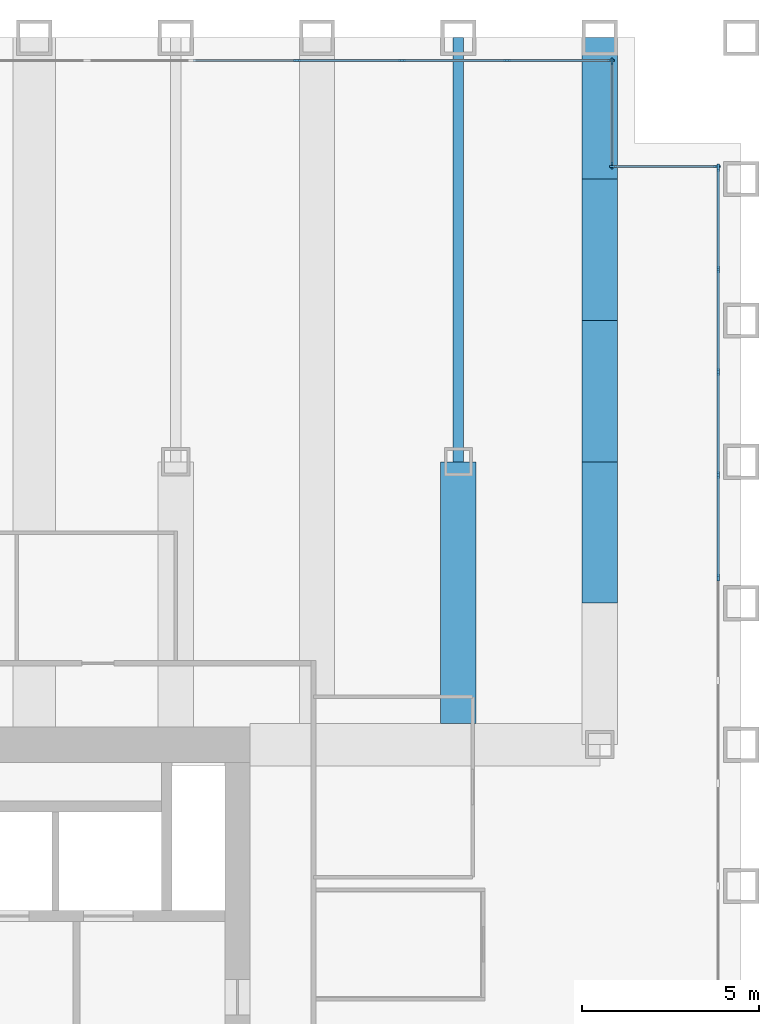
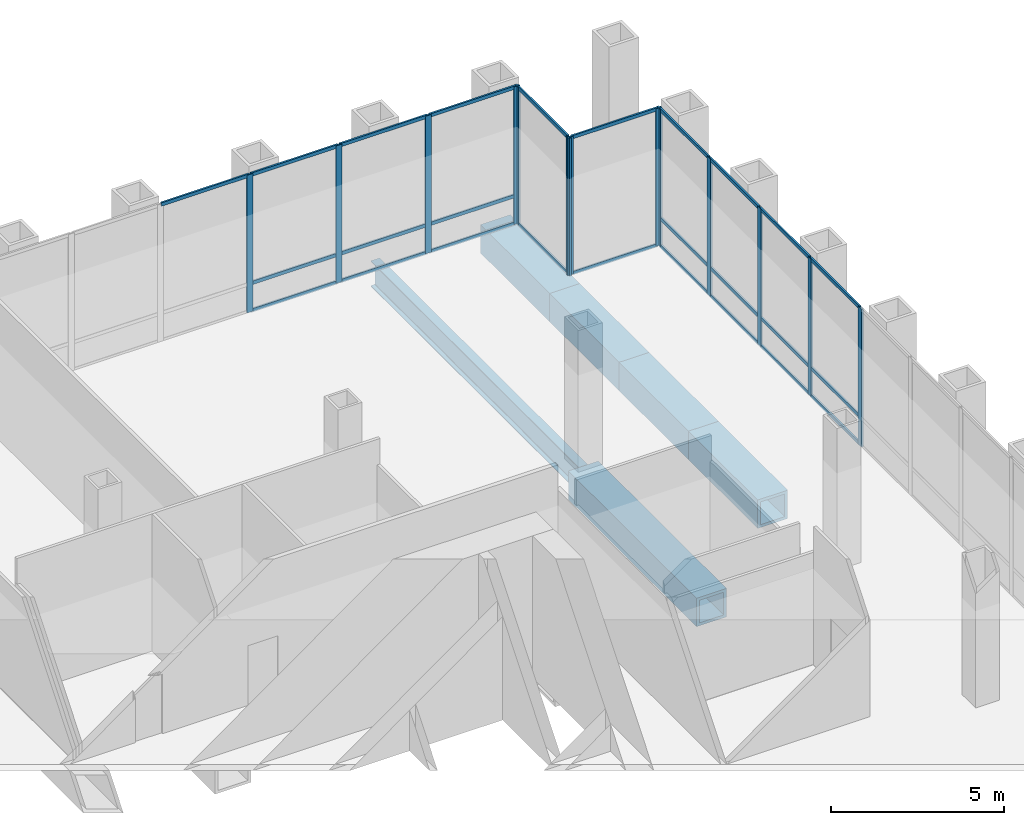
# One storey, part 7 of 13: 39 members, 6 beams, 4 elements without a shape of their own.
"""IFC4 building model written with IfcOpenShell, lengths in metres."""

from ifc_helpers import new_model, si_unit, direction, frame, origin, origin_2d, place, context, subcontext, project, spatial, rectangle, hollow_rectangle, i_section, extrude, material, material_profile, profile_set, type_object, element, aggregate, save


model = new_model("IFC4")

# Units and contexts
model_context = context("Model", 3, precision=1e-05, world=origin(), true_north=direction((0.0, 1.0)))
body_context = subcontext(model_context, "Body", "Model", "MODEL_VIEW")
ifc_project = project(units=[si_unit("LENGTHUNIT", "METRE"), si_unit("AREAUNIT", "SQUARE_METRE"), si_unit("VOLUMEUNIT", "CUBIC_METRE"), si_unit("PLANEANGLEUNIT", "RADIAN"), si_unit("MASSUNIT", "GRAM", prefix="KILO")], contexts=[model_context])

# Site, building, storey
site_placement = place(None, origin())
site = spatial("IfcSite", under=ifc_project, at=site_placement, CompositionType="ELEMENT")
building_placement = place(site_placement, origin())
building = spatial("IfcBuilding", under=site, at=building_placement, Name="Rimbunsela Tower", CompositionType="ELEMENT")
storey_placement = place(building_placement, frame((0.0, 0.0, 209.199951171875)))
storey = spatial("IfcBuildingStorey", under=building, at=storey_placement, Name="L50", CompositionType="ELEMENT", Elevation=209.199951171875)

# Beams
ifc_material_1 = material(Name="Steel BJ 55 (fy 410 MPa)", Category="steel")
ifc_material_profile_1 = material_profile(ifc_material_1, hollow_rectangle(XDim=1.0, YDim=1.0, WallThickness=0.10009765625, at=origin_2d()), Name="BOX 1000x1000x100")
ifc_profile_set_1 = profile_set([ifc_material_profile_1], Name="Steel BJ 55 (fy 410 MPa)")
beam_type_1 = type_object("IfcBeamType", Name="Beam BOX 1000x1000x100", PredefinedType="BEAM", material=ifc_profile_set_1)
beam_1_placement = place(storey_placement, frame((42.0, 36.60009765625, -0.64990234375), z_axis=(0.0, 1.0, 0.0), x_axis=(-1.0, 0.0, 0.0)))
element("IfcBeam", 1, at=beam_1_placement, inside=storey, type_object=beam_type_1, Name="Beam B3 L50", PredefinedType="BEAM", context=body_context, shape_type="SweptSolid", body=[
    extrude(hollow_rectangle(XDim=1.0, YDim=1.0, WallThickness=0.10009765625, at=origin_2d()), origin(), (0.0, 0.0, 1.0), 7.39990234375),
])
for number, where, z_axis, x_axis, name in (
    (2, (46.0, 40.0, -0.64990234375), (0.0, 1.0, 0.0), (-1.0, 0.0, 0.0), "Beam B3 L50"),
    (3, (46.0, 44.0, -0.64990234375), (0.0, 1.0, 0.0), (-1.0, 0.0, 0.0), "Beam B3 L50"),
    (4, (46.0, 48.0, -0.64990234375), (0.0, 1.0, 0.0), (-1.0, 0.0, 0.0), "Beam B3 L50"),
    (5, (46.0, 52.0, -0.64990234375), (0.0, 1.0, 0.0), (-1.0, 0.0, 0.0), "Beam B3 L50"),
):
    element("IfcBeam", number, at=place(storey_placement, frame(where, z_axis=z_axis, x_axis=x_axis)), inside=storey, type_object=beam_type_1, Name=name, PredefinedType="BEAM", context=body_context, shape_type="SweptSolid", body=[
        extrude(hollow_rectangle(XDim=1.0, YDim=1.0, WallThickness=0.10009765625, at=origin_2d()), origin(), (0.0, 0.0, 1.0), 4.0),
    ])
ifc_material_2 = material(Name="Steel BJ 55 (fy 410 MPa)", Category="steel")
ifc_material_profile_2 = material_profile(ifc_material_2, i_section(OverallWidth=0.300048828125, OverallDepth=0.89990234375, WebThickness=0.01611328125, FlangeThickness=0.028076171875, FilletRadius=0.028076171875, at=origin_2d()), Name="H 900x300x16x28")
ifc_profile_set_2 = profile_set([ifc_material_profile_2], Name="Steel BJ 55 (fy 410 MPa)")
beam_type_2 = type_object("IfcBeamType", Name="Beam H 900x300x16x28", PredefinedType="BEAM", material=ifc_profile_set_2)
beam_2_placement = place(storey_placement, frame((42.0, 44.0, -0.599853515625), z_axis=(0.0, 1.0, 0.0), x_axis=(-1.0, 0.0, 0.0)))
element("IfcBeam", 6, at=beam_2_placement, inside=storey, type_object=beam_type_2, Name="Beam B2 L50", PredefinedType="BEAM", context=body_context, shape_type="SweptSolid", body=[
    extrude(i_section(OverallWidth=0.300048828125, OverallDepth=0.89990234375, WebThickness=0.01611328125, FlangeThickness=0.028076171875, FilletRadius=0.028076171875, at=origin_2d()), origin(), (0.0, 0.0, 1.0), 12.0),
])

# Curtain wall, members
ifc_material_3 = material(Name="Aluminium curtain wall", Category="aluminium")
curtain_wall_type_1 = type_object("IfcCurtainWallType", Name="Sky lobby glazing", PredefinedType="USERDEFINED", material=ifc_material_3)
curtain_wall_1_placement = place(storey_placement, origin())
curtain_wall_1 = element("IfcCurtainWall", 7, at=curtain_wall_1_placement, inside=storey, type_object=curtain_wall_type_1, Name="Sky lobby glazing L50", ObjectType="SKY LOBBY GLAZING", PredefinedType="USERDEFINED")
ifc_material_4 = material(Name="Aluminium mullion", Category="aluminium")
ifc_material_profile_3 = material_profile(ifc_material_4, rectangle(XDim=0.06005859375, YDim=0.199951171875, at=origin_2d()), Name="Mullion 60x200")
ifc_profile_set_3 = profile_set([ifc_material_profile_3], Name="Aluminium mullion")
member_type_1 = type_object("IfcMemberType", Name="Curtain wall mullion 60x200", PredefinedType="MULLION", material=ifc_profile_set_3)
member_1_placement = place(storey_placement, frame((49.35009765625, 40.721435546875, 0.0), z_axis=(0.0, 0.0, 1.0), x_axis=(-1.0, 0.0, 0.0)))
member_1 = element("IfcMember", 8, at=member_1_placement, type_object=member_type_1, Name="CW4 mullion 11", PredefinedType="MULLION", context=body_context, shape_type="SweptSolid", body=[
    extrude(rectangle(XDim=0.06005859375, YDim=0.199951171875, at=origin_2d()), origin(), (0.0, 0.0, 1.0), 4.85009765625),
])
member_2_placement = place(storey_placement, frame((49.35009765625, 43.628662109375, 0.0), z_axis=(0.0, 0.0, 1.0), x_axis=(-1.0, 0.0, 0.0)))
member_2 = element("IfcMember", 9, at=member_2_placement, type_object=member_type_1, Name="CW4 mullion 12", PredefinedType="MULLION", context=body_context, shape_type="SweptSolid", body=[
    extrude(rectangle(XDim=0.06005859375, YDim=0.199951171875, at=origin_2d()), origin(), (0.0, 0.0, 1.0), 4.85009765625),
])
member_3_placement = place(storey_placement, frame((49.35009765625, 46.53564453125, 0.0), z_axis=(0.0, 0.0, 1.0), x_axis=(-1.0, 0.0, 0.0)))
member_3 = element("IfcMember", 10, at=member_3_placement, type_object=member_type_1, Name="CW4 mullion 13", PredefinedType="MULLION", context=body_context, shape_type="SweptSolid", body=[
    extrude(rectangle(XDim=0.06005859375, YDim=0.199951171875, at=origin_2d()), origin(), (0.0, 0.0, 1.0), 4.85009765625),
])
member_4_placement = place(storey_placement, frame((49.35009765625, 49.44287109375, 0.0), z_axis=(0.0, 0.0, 1.0), x_axis=(-1.0, 0.0, 0.0)))
member_4 = element("IfcMember", 11, at=member_4_placement, type_object=member_type_1, Name="CW4 mullion 14", PredefinedType="MULLION", context=body_context, shape_type="SweptSolid", body=[
    extrude(rectangle(XDim=0.06005859375, YDim=0.199951171875, at=origin_2d()), origin(), (0.0, 0.0, 1.0), 4.85009765625),
])
member_5_placement = place(storey_placement, frame((49.35009765625, 52.320068359375, 0.0), z_axis=(0.0, 0.0, 1.0), x_axis=(-1.0, 0.0, 0.0)))
member_5 = element("IfcMember", 12, at=member_5_placement, type_object=member_type_1, Name="CW4 mullion 15", PredefinedType="MULLION", context=body_context, shape_type="SweptSolid", body=[
    extrude(rectangle(XDim=0.06005859375, YDim=0.199951171875, at=origin_2d()), origin(), (0.0, 0.0, 1.0), 4.85009765625),
])

ifc_material_5 = material(Name="Aluminium curtain wall", Category="aluminium")
curtain_wall_type_2 = type_object("IfcCurtainWallType", Name="Corner glazing", PredefinedType="USERDEFINED", material=ifc_material_5)
curtain_wall_2_placement = place(storey_placement, origin())
curtain_wall_2 = element("IfcCurtainWall", 13, at=curtain_wall_2_placement, inside=storey, type_object=curtain_wall_type_2, Name="Corner glazing L50", ObjectType="CORNER GLAZING", PredefinedType="USERDEFINED")
member_6_placement = place(storey_placement, frame((49.320068359375, 52.35009765625, 0.0), z_axis=(0.0, 0.0, 1.0), x_axis=(0.0, -1.0, 0.0)))
member_6 = element("IfcMember", 14, at=member_6_placement, type_object=member_type_1, Name="CW5 mullion 1", PredefinedType="MULLION", context=body_context, shape_type="SweptSolid", body=[
    extrude(rectangle(XDim=0.06005859375, YDim=0.199951171875, at=origin_2d()), origin(), (0.0, 0.0, 1.0), 4.85009765625),
])
member_7_placement = place(storey_placement, frame((46.3798828125, 52.35009765625, 0.0), z_axis=(0.0, 0.0, 1.0), x_axis=(0.0, -1.0, 0.0)))
member_7 = element("IfcMember", 15, at=member_7_placement, type_object=member_type_1, Name="CW5 mullion 2", PredefinedType="MULLION", context=body_context, shape_type="SweptSolid", body=[
    extrude(rectangle(XDim=0.06005859375, YDim=0.199951171875, at=origin_2d()), origin(), (0.0, 0.0, 1.0), 4.85009765625),
])

curtain_wall_3_placement = place(storey_placement, origin())
curtain_wall_3 = element("IfcCurtainWall", 16, at=curtain_wall_3_placement, inside=storey, type_object=curtain_wall_type_2, Name="Corner glazing L50", ObjectType="CORNER GLAZING", PredefinedType="USERDEFINED")
member_8_placement = place(storey_placement, frame((46.35009765625, 52.3798828125, 0.0), z_axis=(0.0, 0.0, 1.0), x_axis=(-1.0, 0.0, 0.0)))
member_8 = element("IfcMember", 17, at=member_8_placement, type_object=member_type_1, Name="CW5 mullion 1", PredefinedType="MULLION", context=body_context, shape_type="SweptSolid", body=[
    extrude(rectangle(XDim=0.06005859375, YDim=0.199951171875, at=origin_2d()), origin(), (0.0, 0.0, 1.0), 4.85009765625),
])
member_9_placement = place(storey_placement, frame((46.35009765625, 55.320068359375, 0.0), z_axis=(0.0, 0.0, 1.0), x_axis=(-1.0, 0.0, 0.0)))
member_9 = element("IfcMember", 18, at=member_9_placement, type_object=member_type_1, Name="CW5 mullion 2", PredefinedType="MULLION", context=body_context, shape_type="SweptSolid", body=[
    extrude(rectangle(XDim=0.06005859375, YDim=0.199951171875, at=origin_2d()), origin(), (0.0, 0.0, 1.0), 4.85009765625),
])

curtain_wall_4_placement = place(storey_placement, origin())
curtain_wall_4 = element("IfcCurtainWall", 19, at=curtain_wall_4_placement, inside=storey, type_object=curtain_wall_type_1, Name="Sky lobby glazing L50", ObjectType="SKY LOBBY GLAZING", PredefinedType="USERDEFINED")
member_10_placement = place(storey_placement, frame((46.320068359375, 55.35009765625, 0.0), z_axis=(0.0, 0.0, 1.0), x_axis=(0.0, -1.0, 0.0)))
member_10 = element("IfcMember", 20, at=member_10_placement, type_object=member_type_1, Name="CW4 mullion 1", PredefinedType="MULLION", context=body_context, shape_type="SweptSolid", body=[
    extrude(rectangle(XDim=0.06005859375, YDim=0.199951171875, at=origin_2d()), origin(), (0.0, 0.0, 1.0), 4.85009765625),
])
member_11_placement = place(storey_placement, frame((43.377197265625, 55.35009765625, 0.0), z_axis=(0.0, 0.0, 1.0), x_axis=(0.0, -1.0, 0.0)))
member_11 = element("IfcMember", 21, at=member_11_placement, type_object=member_type_1, Name="CW4 mullion 2", PredefinedType="MULLION", context=body_context, shape_type="SweptSolid", body=[
    extrude(rectangle(XDim=0.06005859375, YDim=0.199951171875, at=origin_2d()), origin(), (0.0, 0.0, 1.0), 4.85009765625),
])
member_12_placement = place(storey_placement, frame((40.404541015625, 55.35009765625, 0.0), z_axis=(0.0, 0.0, 1.0), x_axis=(0.0, -1.0, 0.0)))
member_12 = element("IfcMember", 22, at=member_12_placement, type_object=member_type_1, Name="CW4 mullion 3", PredefinedType="MULLION", context=body_context, shape_type="SweptSolid", body=[
    extrude(rectangle(XDim=0.06005859375, YDim=0.199951171875, at=origin_2d()), origin(), (0.0, 0.0, 1.0), 4.85009765625),
])
member_13_placement = place(storey_placement, frame((37.431884765625, 55.35009765625, 0.0), z_axis=(0.0, 0.0, 1.0), x_axis=(0.0, -1.0, 0.0)))
member_13 = element("IfcMember", 23, at=member_13_placement, type_object=member_type_1, Name="CW4 mullion 4", PredefinedType="MULLION", context=body_context, shape_type="SweptSolid", body=[
    extrude(rectangle(XDim=0.06005859375, YDim=0.199951171875, at=origin_2d()), origin(), (0.0, 0.0, 1.0), 4.85009765625),
])

# Member
ifc_material_6 = material(Name="Aluminium transom", Category="aluminium")
ifc_material_profile_4 = material_profile(ifc_material_6, rectangle(XDim=0.06005859375, YDim=0.1201171875, at=origin_2d()), Name="Transom 60x120")
ifc_profile_set_4 = profile_set([ifc_material_profile_4], Name="Aluminium transom")
member_type_2 = type_object("IfcMemberType", Name="Curtain wall transom 60x120", PredefinedType="USERDEFINED", material=ifc_profile_set_4)
member_14_placement = place(storey_placement, frame((49.35009765625, 40.75146484375, 0.030029296875), z_axis=(0.0, 1.0, 0.0), x_axis=(-1.0, 0.0, 0.0)))
member_14 = element("IfcMember", 24, at=member_14_placement, type_object=member_type_2, Name="CW4 transom 11.1", ObjectType="TRANSOM", PredefinedType="USERDEFINED", context=body_context, shape_type="SweptSolid", body=[
    extrude(rectangle(XDim=0.06005859375, YDim=0.1201171875, at=origin_2d()), origin(), (0.0, 0.0, 1.0), 2.84716796875),
])

member_15_placement = place(storey_placement, frame((49.35009765625, 40.75146484375, 1.0), z_axis=(0.0, 1.0, 0.0), x_axis=(-1.0, 0.0, 0.0)))
member_15 = element("IfcMember", 25, at=member_15_placement, type_object=member_type_2, Name="CW4 transom 11.2", ObjectType="TRANSOM", PredefinedType="USERDEFINED", context=body_context, shape_type="SweptSolid", body=[
    extrude(rectangle(XDim=0.06005859375, YDim=0.1201171875, at=origin_2d()), origin(), (0.0, 0.0, 1.0), 2.84716796875),
])

member_16_placement = place(storey_placement, frame((49.35009765625, 40.75146484375, 4.820068359375), z_axis=(0.0, 1.0, 0.0), x_axis=(-1.0, 0.0, 0.0)))
member_16 = element("IfcMember", 26, at=member_16_placement, type_object=member_type_2, Name="CW4 transom 11.3", ObjectType="TRANSOM", PredefinedType="USERDEFINED", context=body_context, shape_type="SweptSolid", body=[
    extrude(rectangle(XDim=0.06005859375, YDim=0.1201171875, at=origin_2d()), origin(), (0.0, 0.0, 1.0), 2.84716796875),
])

member_17_placement = place(storey_placement, frame((49.35009765625, 43.65869140625, 0.030029296875), z_axis=(0.0, 1.0, 0.0), x_axis=(-1.0, 0.0, 0.0)))
member_17 = element("IfcMember", 27, at=member_17_placement, type_object=member_type_2, Name="CW4 transom 12.1", ObjectType="TRANSOM", PredefinedType="USERDEFINED", context=body_context, shape_type="SweptSolid", body=[
    extrude(rectangle(XDim=0.06005859375, YDim=0.1201171875, at=origin_2d()), origin(), (0.0, 0.0, 1.0), 2.846923828125),
])

member_18_placement = place(storey_placement, frame((49.35009765625, 43.65869140625, 1.0), z_axis=(0.0, 1.0, 0.0), x_axis=(-1.0, 0.0, 0.0)))
member_18 = element("IfcMember", 28, at=member_18_placement, type_object=member_type_2, Name="CW4 transom 12.2", ObjectType="TRANSOM", PredefinedType="USERDEFINED", context=body_context, shape_type="SweptSolid", body=[
    extrude(rectangle(XDim=0.06005859375, YDim=0.1201171875, at=origin_2d()), origin(), (0.0, 0.0, 1.0), 2.846923828125),
])

member_19_placement = place(storey_placement, frame((49.35009765625, 43.65869140625, 4.820068359375), z_axis=(0.0, 1.0, 0.0), x_axis=(-1.0, 0.0, 0.0)))
member_19 = element("IfcMember", 29, at=member_19_placement, type_object=member_type_2, Name="CW4 transom 12.3", ObjectType="TRANSOM", PredefinedType="USERDEFINED", context=body_context, shape_type="SweptSolid", body=[
    extrude(rectangle(XDim=0.06005859375, YDim=0.1201171875, at=origin_2d()), origin(), (0.0, 0.0, 1.0), 2.846923828125),
])

member_20_placement = place(storey_placement, frame((49.35009765625, 46.565673828125, 0.030029296875), z_axis=(0.0, 1.0, 0.0), x_axis=(-1.0, 0.0, 0.0)))
member_20 = element("IfcMember", 30, at=member_20_placement, type_object=member_type_2, Name="CW4 transom 13.1", ObjectType="TRANSOM", PredefinedType="USERDEFINED", context=body_context, shape_type="SweptSolid", body=[
    extrude(rectangle(XDim=0.06005859375, YDim=0.1201171875, at=origin_2d()), origin(), (0.0, 0.0, 1.0), 2.84716796875),
])

member_21_placement = place(storey_placement, frame((49.35009765625, 46.565673828125, 1.0), z_axis=(0.0, 1.0, 0.0), x_axis=(-1.0, 0.0, 0.0)))
member_21 = element("IfcMember", 31, at=member_21_placement, type_object=member_type_2, Name="CW4 transom 13.2", ObjectType="TRANSOM", PredefinedType="USERDEFINED", context=body_context, shape_type="SweptSolid", body=[
    extrude(rectangle(XDim=0.06005859375, YDim=0.1201171875, at=origin_2d()), origin(), (0.0, 0.0, 1.0), 2.84716796875),
])

member_22_placement = place(storey_placement, frame((49.35009765625, 46.565673828125, 4.820068359375), z_axis=(0.0, 1.0, 0.0), x_axis=(-1.0, 0.0, 0.0)))
member_22 = element("IfcMember", 32, at=member_22_placement, type_object=member_type_2, Name="CW4 transom 13.3", ObjectType="TRANSOM", PredefinedType="USERDEFINED", context=body_context, shape_type="SweptSolid", body=[
    extrude(rectangle(XDim=0.06005859375, YDim=0.1201171875, at=origin_2d()), origin(), (0.0, 0.0, 1.0), 2.84716796875),
])

member_23_placement = place(storey_placement, frame((49.35009765625, 49.472900390625, 0.030029296875), z_axis=(0.0, 1.0, 0.0), x_axis=(-1.0, 0.0, 0.0)))
member_23 = element("IfcMember", 33, at=member_23_placement, type_object=member_type_2, Name="CW4 transom 14.1", ObjectType="TRANSOM", PredefinedType="USERDEFINED", context=body_context, shape_type="SweptSolid", body=[
    extrude(rectangle(XDim=0.06005859375, YDim=0.1201171875, at=origin_2d()), origin(), (0.0, 0.0, 1.0), 2.817138671875),
])

member_24_placement = place(storey_placement, frame((49.35009765625, 49.472900390625, 1.0), z_axis=(0.0, 1.0, 0.0), x_axis=(-1.0, 0.0, 0.0)))
member_24 = element("IfcMember", 34, at=member_24_placement, type_object=member_type_2, Name="CW4 transom 14.2", ObjectType="TRANSOM", PredefinedType="USERDEFINED", context=body_context, shape_type="SweptSolid", body=[
    extrude(rectangle(XDim=0.06005859375, YDim=0.1201171875, at=origin_2d()), origin(), (0.0, 0.0, 1.0), 2.817138671875),
])

member_25_placement = place(storey_placement, frame((49.35009765625, 49.472900390625, 4.820068359375), z_axis=(0.0, 1.0, 0.0), x_axis=(-1.0, 0.0, 0.0)))
member_25 = element("IfcMember", 35, at=member_25_placement, type_object=member_type_2, Name="CW4 transom 14.3", ObjectType="TRANSOM", PredefinedType="USERDEFINED", context=body_context, shape_type="SweptSolid", body=[
    extrude(rectangle(XDim=0.06005859375, YDim=0.1201171875, at=origin_2d()), origin(), (0.0, 0.0, 1.0), 2.817138671875),
])

aggregate(curtain_wall_1, [member_1, member_2, member_3, member_4, member_5, member_14, member_15, member_16, member_17, member_18, member_19, member_20, member_21, member_22, member_23, member_24, member_25])

member_26_placement = place(storey_placement, frame((49.2900390625, 52.35009765625, 0.030029296875), z_axis=(-1.0, 0.0, 0.0), x_axis=(0.0, -1.0, 0.0)))
member_26 = element("IfcMember", 36, at=member_26_placement, type_object=member_type_2, Name="CW5 transom 1.1", ObjectType="TRANSOM", PredefinedType="USERDEFINED", context=body_context, shape_type="SweptSolid", body=[
    extrude(rectangle(XDim=0.06005859375, YDim=0.1201171875, at=origin_2d()), origin(), (0.0, 0.0, 1.0), 2.880126953125),
])

member_27_placement = place(storey_placement, frame((49.2900390625, 52.35009765625, 4.820068359375), z_axis=(-1.0, 0.0, 0.0), x_axis=(0.0, -1.0, 0.0)))
member_27 = element("IfcMember", 37, at=member_27_placement, type_object=member_type_2, Name="CW5 transom 1.2", ObjectType="TRANSOM", PredefinedType="USERDEFINED", context=body_context, shape_type="SweptSolid", body=[
    extrude(rectangle(XDim=0.06005859375, YDim=0.1201171875, at=origin_2d()), origin(), (0.0, 0.0, 1.0), 2.880126953125),
])

aggregate(curtain_wall_2, [member_6, member_7, member_26, member_27])

member_28_placement = place(storey_placement, frame((46.35009765625, 52.409912109375, 0.030029296875), z_axis=(0.0, 1.0, 0.0), x_axis=(-1.0, 0.0, 0.0)))
member_28 = element("IfcMember", 38, at=member_28_placement, type_object=member_type_2, Name="CW5 transom 1.1", ObjectType="TRANSOM", PredefinedType="USERDEFINED", context=body_context, shape_type="SweptSolid", body=[
    extrude(rectangle(XDim=0.06005859375, YDim=0.1201171875, at=origin_2d()), origin(), (0.0, 0.0, 1.0), 2.880126953125),
])

member_29_placement = place(storey_placement, frame((46.35009765625, 52.409912109375, 4.820068359375), z_axis=(0.0, 1.0, 0.0), x_axis=(-1.0, 0.0, 0.0)))
member_29 = element("IfcMember", 39, at=member_29_placement, type_object=member_type_2, Name="CW5 transom 1.2", ObjectType="TRANSOM", PredefinedType="USERDEFINED", context=body_context, shape_type="SweptSolid", body=[
    extrude(rectangle(XDim=0.06005859375, YDim=0.1201171875, at=origin_2d()), origin(), (0.0, 0.0, 1.0), 2.880126953125),
])

aggregate(curtain_wall_3, [member_8, member_9, member_28, member_29])

member_30_placement = place(storey_placement, frame((46.2900390625, 55.35009765625, 0.030029296875), z_axis=(-1.0, 0.0, 0.0), x_axis=(0.0, -1.0, 0.0)))
member_30 = element("IfcMember", 40, at=member_30_placement, type_object=member_type_2, Name="CW4 transom 1.1", ObjectType="TRANSOM", PredefinedType="USERDEFINED", context=body_context, shape_type="SweptSolid", body=[
    extrude(rectangle(XDim=0.06005859375, YDim=0.1201171875, at=origin_2d()), origin(), (0.0, 0.0, 1.0), 2.8828125),
])

member_31_placement = place(storey_placement, frame((46.2900390625, 55.35009765625, 1.0), z_axis=(-1.0, 0.0, 0.0), x_axis=(0.0, -1.0, 0.0)))
member_31 = element("IfcMember", 41, at=member_31_placement, type_object=member_type_2, Name="CW4 transom 1.2", ObjectType="TRANSOM", PredefinedType="USERDEFINED", context=body_context, shape_type="SweptSolid", body=[
    extrude(rectangle(XDim=0.06005859375, YDim=0.1201171875, at=origin_2d()), origin(), (0.0, 0.0, 1.0), 2.8828125),
])

member_32_placement = place(storey_placement, frame((46.2900390625, 55.35009765625, 4.820068359375), z_axis=(-1.0, 0.0, 0.0), x_axis=(0.0, -1.0, 0.0)))
member_32 = element("IfcMember", 42, at=member_32_placement, type_object=member_type_2, Name="CW4 transom 1.3", ObjectType="TRANSOM", PredefinedType="USERDEFINED", context=body_context, shape_type="SweptSolid", body=[
    extrude(rectangle(XDim=0.06005859375, YDim=0.1201171875, at=origin_2d()), origin(), (0.0, 0.0, 1.0), 2.8828125),
])

member_33_placement = place(storey_placement, frame((43.34716796875, 55.35009765625, 0.030029296875), z_axis=(-1.0, 0.0, 0.0), x_axis=(0.0, -1.0, 0.0)))
member_33 = element("IfcMember", 43, at=member_33_placement, type_object=member_type_2, Name="CW4 transom 2.1", ObjectType="TRANSOM", PredefinedType="USERDEFINED", context=body_context, shape_type="SweptSolid", body=[
    extrude(rectangle(XDim=0.06005859375, YDim=0.1201171875, at=origin_2d()), origin(), (0.0, 0.0, 1.0), 2.91259765625),
])

member_34_placement = place(storey_placement, frame((43.34716796875, 55.35009765625, 1.0), z_axis=(-1.0, 0.0, 0.0), x_axis=(0.0, -1.0, 0.0)))
member_34 = element("IfcMember", 44, at=member_34_placement, type_object=member_type_2, Name="CW4 transom 2.2", ObjectType="TRANSOM", PredefinedType="USERDEFINED", context=body_context, shape_type="SweptSolid", body=[
    extrude(rectangle(XDim=0.06005859375, YDim=0.1201171875, at=origin_2d()), origin(), (0.0, 0.0, 1.0), 2.91259765625),
])

member_35_placement = place(storey_placement, frame((43.34716796875, 55.35009765625, 4.820068359375), z_axis=(-1.0, 0.0, 0.0), x_axis=(0.0, -1.0, 0.0)))
member_35 = element("IfcMember", 45, at=member_35_placement, type_object=member_type_2, Name="CW4 transom 2.3", ObjectType="TRANSOM", PredefinedType="USERDEFINED", context=body_context, shape_type="SweptSolid", body=[
    extrude(rectangle(XDim=0.06005859375, YDim=0.1201171875, at=origin_2d()), origin(), (0.0, 0.0, 1.0), 2.91259765625),
])

member_36_placement = place(storey_placement, frame((40.37451171875, 55.35009765625, 0.030029296875), z_axis=(-1.0, 0.0, 0.0), x_axis=(0.0, -1.0, 0.0)))
member_36 = element("IfcMember", 46, at=member_36_placement, type_object=member_type_2, Name="CW4 transom 3.1", ObjectType="TRANSOM", PredefinedType="USERDEFINED", context=body_context, shape_type="SweptSolid", body=[
    extrude(rectangle(XDim=0.06005859375, YDim=0.1201171875, at=origin_2d()), origin(), (0.0, 0.0, 1.0), 2.91259765625),
])

member_37_placement = place(storey_placement, frame((40.37451171875, 55.35009765625, 1.0), z_axis=(-1.0, 0.0, 0.0), x_axis=(0.0, -1.0, 0.0)))
member_37 = element("IfcMember", 47, at=member_37_placement, type_object=member_type_2, Name="CW4 transom 3.2", ObjectType="TRANSOM", PredefinedType="USERDEFINED", context=body_context, shape_type="SweptSolid", body=[
    extrude(rectangle(XDim=0.06005859375, YDim=0.1201171875, at=origin_2d()), origin(), (0.0, 0.0, 1.0), 2.91259765625),
])

member_38_placement = place(storey_placement, frame((40.37451171875, 55.35009765625, 4.820068359375), z_axis=(-1.0, 0.0, 0.0), x_axis=(0.0, -1.0, 0.0)))
member_38 = element("IfcMember", 48, at=member_38_placement, type_object=member_type_2, Name="CW4 transom 3.3", ObjectType="TRANSOM", PredefinedType="USERDEFINED", context=body_context, shape_type="SweptSolid", body=[
    extrude(rectangle(XDim=0.06005859375, YDim=0.1201171875, at=origin_2d()), origin(), (0.0, 0.0, 1.0), 2.91259765625),
])

member_39_placement = place(storey_placement, frame((37.40185546875, 55.35009765625, 4.820068359375), z_axis=(-1.0, 0.0, 0.0), x_axis=(0.0, -1.0, 0.0)))
member_39 = element("IfcMember", 49, at=member_39_placement, type_object=member_type_2, Name="CW4 transom 4.3", ObjectType="TRANSOM", PredefinedType="USERDEFINED", context=body_context, shape_type="SweptSolid", body=[
    extrude(rectangle(XDim=0.06005859375, YDim=0.1201171875, at=origin_2d()), origin(), (0.0, 0.0, 1.0), 2.912841796875),
])

aggregate(curtain_wall_4, [member_10, member_11, member_12, member_13, member_30, member_31, member_32, member_33, member_34, member_35, member_36, member_37, member_38, member_39])

save(model, "model.ifc")
